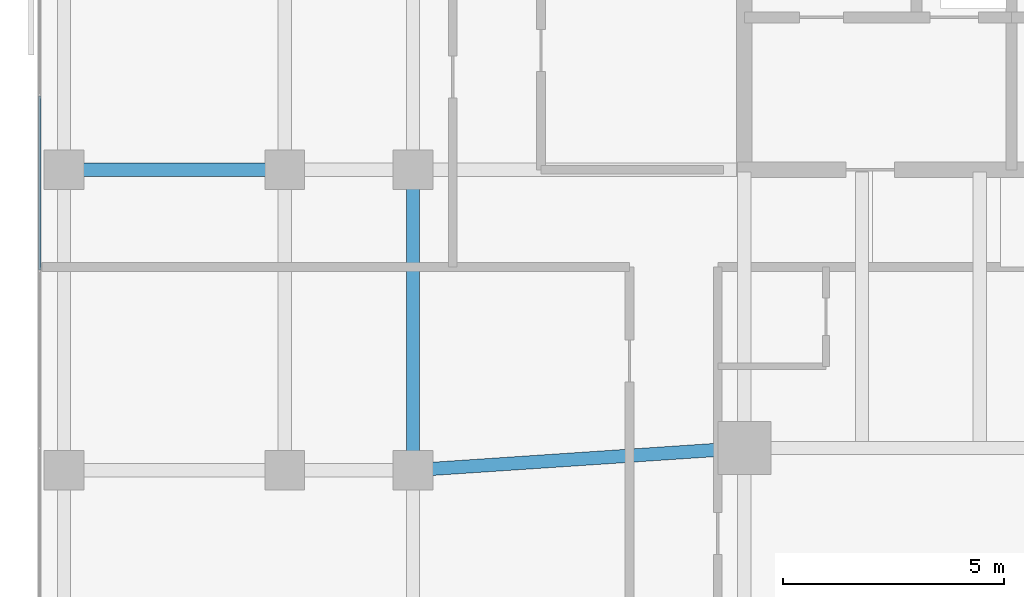
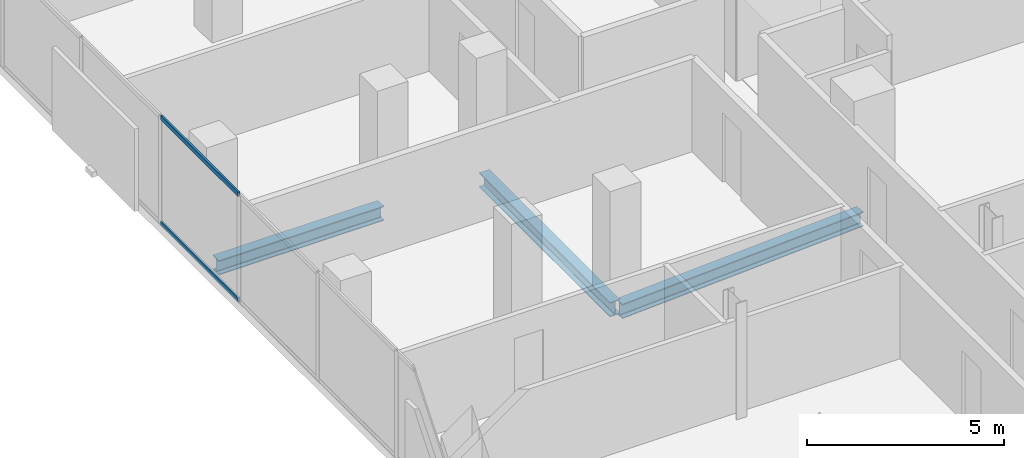
# One storey, part 10 of 33: 3 beams, 2 members, 1 element without a shape of its own.
"""IFC4 building model written with IfcOpenShell, lengths in metres."""

import ifcopenshell
import ifcopenshell.guid

model = None  # the IFC model being written
_history = None  # IfcOwnerHistory: only IFC2X3 demands one
_inside = {}  # id of a spatial element -> (the spatial element, [elements in it])
_under = {}  # id of a project, library or spatial element -> (it, [spatial elements below it])
_declared = {}  # id of a project -> (the project, [libraries it declares])
_typed = {}  # id of a type object -> (the type object, [elements of that type])
_made_of = {}  # id of a material, layer set ... -> (it, [elements and type objects made of it])


def new_model(schema):
    """Start an empty IFC model of exactly this schema.

    Asked for "IFC4X3", IfcOpenShell would pick the latest addendum, in which some entities
    have other attributes; the version numbers below select the first issue.
    IFC2X3 requires an IfcOwnerHistory on every rooted entity: one is made here for all.
    """
    global model, _history
    if schema == "IFC4X3":
        model = ifcopenshell.file(schema_version=(4, 3, 0, 0))
    else:
        model = ifcopenshell.file(schema=schema)
    _inside.clear()
    _under.clear()
    _declared.clear()
    _typed.clear()
    _made_of.clear()
    _history = None
    if model.schema == "IFC2X3":
        org = make("IfcOrganization", Name="unknown")
        user = make(
            "IfcPersonAndOrganization",
            ThePerson=make("IfcPerson", FamilyName="unknown"),
            TheOrganization=org,
        )
        app = make(
            "IfcApplication",
            ApplicationDeveloper=org,
            Version="unknown",
            ApplicationFullName="unknown",
            ApplicationIdentifier="unknown",
        )
        _history = make(
            "IfcOwnerHistory",
            OwningUser=user,
            OwningApplication=app,
            ChangeAction="ADDED",
            CreationDate=0,
        )
    return model


def make(cls, **values):
    """One entity of the class cls with the attributes given. An attribute that is None is left unset."""
    return model.create_entity(
        cls, **{name: value for name, value in values.items() if value is not None}
    )


def rooted(cls, **values):
    """An entity with a GlobalId (a new one), such as an element, a storey or a relation."""
    return make(cls, GlobalId=ifcopenshell.guid.new(), OwnerHistory=_history, **values)


def si_unit(unit_type, name, prefix=None):
    """IfcSIUnit, for example si_unit("LENGTHUNIT", "METRE", prefix="MILLI")."""
    return make("IfcSIUnit", UnitType=unit_type, Prefix=prefix, Name=name)


def assignment(units):
    """IfcUnitAssignment: the units of a project."""
    return None if units is None else make("IfcUnitAssignment", Units=units)


def point(xyz):
    """IfcCartesianPoint."""
    return None if xyz is None else make("IfcCartesianPoint", Coordinates=xyz)


def direction(xyz):
    """IfcDirection."""
    return None if xyz is None else make("IfcDirection", DirectionRatios=xyz)


def frame(location, z_axis=None, x_axis=None):
    """IfcAxis2Placement3D, a coordinate frame: its origin and axes. An axis left out is left unset."""
    return make(
        "IfcAxis2Placement3D",
        Location=point(location),
        Axis=direction(z_axis),
        RefDirection=direction(x_axis),
    )


def frame_2d(location, x_axis=None):
    """IfcAxis2Placement2D, a coordinate frame in the plane: its origin and x axis."""
    return make(
        "IfcAxis2Placement2D", Location=point(location), RefDirection=direction(x_axis)
    )


def origin():
    """The frame at (0, 0, 0) with its axes left unset."""
    return frame((0.0, 0.0, 0.0))


def origin_2d():
    """The frame at (0, 0) in the plane with its x axis left unset."""
    return frame_2d((0.0, 0.0))


def place(relative_to, where):
    """IfcLocalPlacement: puts the frame where relative to a parent placement (None: the world)."""
    return make(
        "IfcLocalPlacement", PlacementRelTo=relative_to, RelativePlacement=where
    )


def context(
    kind, dimensions, precision=None, world=None, true_north=None, identifier=None
):
    """IfcGeometricRepresentationContext, for example the 3D "Model" context."""
    return make(
        "IfcGeometricRepresentationContext",
        ContextIdentifier=identifier,
        ContextType=kind,
        CoordinateSpaceDimension=dimensions,
        Precision=precision,
        WorldCoordinateSystem=world,
        TrueNorth=true_north,
    )


def subcontext(parent, identifier, kind, view, scale=None):
    """IfcGeometricRepresentationSubContext, for example "Body" below "Model"."""
    return make(
        "IfcGeometricRepresentationSubContext",
        ContextIdentifier=identifier,
        ContextType=kind,
        ParentContext=parent,
        TargetScale=scale,
        TargetView=view,
    )


def project(units=None, contexts=None):
    """IfcProject with its units and contexts."""
    return rooted(
        "IfcProject",
        Name="project",
        RepresentationContexts=contexts,
        UnitsInContext=assignment(units),
    )


def spatial(cls, under=None, at=None, **own):
    """A site, building, storey or space (cls), placed at a placement, below another one or the project."""
    s = rooted(cls, ObjectPlacement=at, **own)
    if under is not None:
        _under.setdefault(under.id(), (under, []))[1].append(s)
    return s


def profile(cls, at=None, kind="AREA", **sizes):
    """A parametric profile (cls). Its sizes go by their IFC names, for example OverallWidth=200.0."""
    return make(cls, ProfileType=kind, Position=at, **sizes)


def hollow_rectangle(**sizes):
    """IfcRectangleHollowProfileDef."""
    return profile("IfcRectangleHollowProfileDef", **sizes)


def i_section(**sizes):
    """IfcIShapeProfileDef."""
    return profile("IfcIShapeProfileDef", **sizes)


def extrude(swept, where, along, depth):
    """IfcExtrudedAreaSolid: the profile swept, set in the frame where, extruded along a direction by depth."""
    return make(
        "IfcExtrudedAreaSolid",
        SweptArea=swept,
        Position=where,
        ExtrudedDirection=direction(along),
        Depth=depth,
    )


def shape(context_of_items, identifier, shape_type, items):
    """IfcShapeRepresentation: the items that make up one representation, for example the "Body"."""
    return make(
        "IfcShapeRepresentation",
        ContextOfItems=context_of_items,
        RepresentationIdentifier=identifier,
        RepresentationType=shape_type,
        Items=items,
    )


def material(Name=None, Category=None):
    """IfcMaterial."""
    return make("IfcMaterial", Name=Name, Category=Category)


def layer(
    of_material, thickness, ventilated=None, Name=None, Category=None, Priority=None
):
    """IfcMaterialLayer: one layer of a wall or slab, of a material (None: an air gap)."""
    return make(
        "IfcMaterialLayer",
        Material=of_material,
        LayerThickness=thickness,
        IsVentilated=ventilated,
        Name=Name,
        Category=Category,
        Priority=Priority,
    )


def layer_set(layers, Name=None):
    """IfcMaterialLayerSet."""
    return make("IfcMaterialLayerSet", MaterialLayers=layers, LayerSetName=Name)


def material_profile(
    of_material, cross_section, Name=None, Category=None, Priority=None
):
    """IfcMaterialProfile: a cross section and its material."""
    return make(
        "IfcMaterialProfile",
        Name=Name,
        Material=of_material,
        Profile=cross_section,
        Priority=Priority,
        Category=Category,
    )


def profile_set(profiles, Name=None, composite=None):
    """IfcMaterialProfileSet."""
    return make(
        "IfcMaterialProfileSet",
        Name=Name,
        MaterialProfiles=profiles,
        CompositeProfile=composite,
    )


def made_of(thing, what):
    """Note that an element or type object is made of a material, layer set ...; save() writes the relation."""
    if what is not None:
        _made_of.setdefault(what.id(), (what, []))[1].append(thing)
    return thing


def type_object(cls, material=None, **own):
    """A type object (cls), such as IfcWallType, which elements share."""
    return made_of(rooted(cls, **own), material)


def element(
    cls,
    number,
    at=None,
    inside=None,
    cuts=None,
    type_object=None,
    material=None,
    context=None,
    identifier="Body",
    shape_type=None,
    held_by="IfcProductDefinitionShape",
    body=None,
    shapes=None,
    **own,
):
    """One element of the class cls, such as IfcWall. Its Tag is "e" and its number.

    at: its placement. inside: the storey or other place that contains it. cuts: it is an
    opening in that element (IfcRelVoidsElement). A single representation is given by context,
    identifier, shape_type and body (its items); several are given by shapes. held_by: the class
    of the entity that holds the representations. save() writes the other relations.
    """
    e = rooted(cls, Tag="e%d" % number, ObjectPlacement=at, **own)
    if body is not None:
        shapes = [shape(context, identifier, shape_type, body)]
    if shapes is not None:
        e.Representation = make(held_by, Representations=shapes)
    if inside is not None:
        _inside.setdefault(inside.id(), (inside, []))[1].append(e)
    if cuts is not None:
        rooted(
            "IfcRelVoidsElement", RelatingBuildingElement=cuts, RelatedOpeningElement=e
        )
    if type_object is not None:
        _typed.setdefault(type_object.id(), (type_object, []))[1].append(e)
    return made_of(e, material)


def aggregate(whole, parts):
    """IfcRelAggregates: a whole, such as a stair, and the parts it consists of."""
    return rooted("IfcRelAggregates", RelatingObject=whole, RelatedObjects=parts)


def save(model, path):
    """Write the relations noted so far, then the file.

    IfcRelAggregates (storeys below a building ...), IfcRelContainedInSpatialStructure (elements
    in a storey), IfcRelDefinesByType, IfcRelAssociatesMaterial and IfcRelDeclares: one each for
    every whole, place, type object, material and project.
    """
    for whole, parts in _under.values():
        aggregate(whole, parts)
    for where, things in _inside.values():
        rooted(
            "IfcRelContainedInSpatialStructure",
            RelatedElements=things,
            RelatingStructure=where,
        )
    for kind, things in _typed.values():
        rooted("IfcRelDefinesByType", RelatedObjects=things, RelatingType=kind)
    for what, things in _made_of.values():
        rooted("IfcRelAssociatesMaterial", RelatedObjects=things, RelatingMaterial=what)
    for by, libraries in _declared.values():
        rooted("IfcRelDeclares", RelatingContext=by, RelatedDefinitions=libraries)
    model.write(path)


model = new_model("IFC4")

# Units and contexts
model_context = context("Model", 3, precision=1e-05, world=origin(), true_north=direction((0.0, 1.0)))
body_context = subcontext(model_context, "Body", "Model", "MODEL_VIEW")
ifc_project = project(units=[si_unit("LENGTHUNIT", "METRE"), si_unit("AREAUNIT", "SQUARE_METRE"), si_unit("VOLUMEUNIT", "CUBIC_METRE"), si_unit("PLANEANGLEUNIT", "RADIAN"), si_unit("MASSUNIT", "GRAM", prefix="KILO")], contexts=[model_context])

# Site, building, storey
site_placement = place(None, origin())
site = spatial("IfcSite", under=ifc_project, at=site_placement, CompositionType="ELEMENT")
building_placement = place(site_placement, origin())
building = spatial("IfcBuilding", under=site, at=building_placement, Name="Catumbela Crestline Tower", CompositionType="ELEMENT")
storey_placement = place(building_placement, frame((0.0, 0.0, 104.4)))
storey = spatial("IfcBuildingStorey", under=building, at=storey_placement, Name="L26", CompositionType="ELEMENT", Elevation=104.4)

# Beams
ifc_material_1 = material(Name="Structural steel S355J2", Category="steel")
ifc_material_profile_1 = material_profile(ifc_material_1, i_section(OverallWidth=0.3, OverallDepth=0.45, WebThickness=0.014, FlangeThickness=0.026, FilletRadius=0.027, at=origin_2d()), Name="HEB 450")
ifc_profile_set_1 = profile_set([ifc_material_profile_1], Name="Structural steel S355J2")
beam_type = type_object("IfcBeamType", Name="BG-HEB450", PredefinedType="BEAM", material=ifc_profile_set_1)
beam_1_placement = place(storey_placement, frame((8.5798, 24.0053, -0.485), z_axis=(0.997784796964, 0.066524423687, 0.0), x_axis=(-0.066524423687, 0.997784796964, 0.0)))
element("IfcBeam", 1, at=beam_1_placement, inside=storey, type_object=beam_type, Name="L26 Beam BM-L26-S03", PredefinedType="BEAM", context=body_context, shape_type="SweptSolid", body=[
    extrude(i_section(OverallWidth=0.3, OverallDepth=0.45, WebThickness=0.014, FlangeThickness=0.026, FilletRadius=0.027, at=origin_2d()), origin(), (0.0, 0.0, 1.0), 7.3567),
])
beam_2_placement = place(storey_placement, frame((0.68, 30.8, -0.485), z_axis=(1.0, 0.0, 0.0), x_axis=(0.0, 1.0, 0.0)))
element("IfcBeam", 2, at=beam_2_placement, inside=storey, type_object=beam_type, Name="L26 Beam BM-L26-M07", PredefinedType="BEAM", context=body_context, shape_type="SweptSolid", body=[
    extrude(i_section(OverallWidth=0.3, OverallDepth=0.45, WebThickness=0.014, FlangeThickness=0.026, FilletRadius=0.027, at=origin_2d()), origin(), (0.0, 0.0, 1.0), 4.84),
])
beam_3_placement = place(storey_placement, frame((8.5, 24.08, -0.485), z_axis=(0.0, 1.0, 0.0), x_axis=(-1.0, 0.0, 0.0)))
element("IfcBeam", 3, at=beam_3_placement, inside=storey, type_object=beam_type, Name="L26 Beam BM-L26-SN26", PredefinedType="BEAM", context=body_context, shape_type="SweptSolid", body=[
    extrude(i_section(OverallWidth=0.3, OverallDepth=0.45, WebThickness=0.014, FlangeThickness=0.026, FilletRadius=0.027, at=origin_2d()), origin(), (0.0, 0.0, 1.0), 6.64),
])

# Curtain wall, members
ifc_material_2 = material(Name="Aluminium alloy AW-6060-T66", Category="aluminium")
ifc_layer = layer(ifc_material_2, 0.18, Name="Aluminium alloy AW-6060-T66")
ifc_layer_set = layer_set([ifc_layer], Name="Aluminium alloy AW-6060-T66")
curtain_wall_type = type_object("IfcCurtainWallType", Name="CWU-Z2", PredefinedType="USERDEFINED", material=ifc_layer_set)
curtain_wall_placement = place(storey_placement, origin())
curtain_wall = element("IfcCurtainWall", 4, at=curtain_wall_placement, inside=storey, type_object=curtain_wall_type, Name="L26 Unitised Curtain Wall CW-L26-E9S1", ObjectType="UNITISED", PredefinedType="USERDEFINED")
ifc_material_profile_2 = material_profile(ifc_material_2, hollow_rectangle(XDim=0.06, YDim=0.14, WallThickness=0.004, at=origin_2d()), Name="ALU 140x60x4")
ifc_profile_set_2 = profile_set([ifc_material_profile_2], Name="Aluminium alloy AW-6060-T66")
member_type = type_object("IfcMemberType", Name="TRN-140X60", PredefinedType="USERDEFINED", material=ifc_profile_set_2)
member_1_placement = place(storey_placement, frame((0.05, 32.4675, 0.03), z_axis=(0.0, -1.0, 0.0), x_axis=(1.0, 0.0, 0.0)))
member_1 = element("IfcMember", 5, at=member_1_placement, type_object=member_type, Name="CWU-Z2 transom 4.1", ObjectType="TRANSOM", PredefinedType="USERDEFINED", context=body_context, shape_type="SweptSolid", body=[
    extrude(hollow_rectangle(XDim=0.06, YDim=0.14, WallThickness=0.004, at=origin_2d()), origin(), (0.0, 0.0, 1.0), 3.935),
])
member_2_placement = place(storey_placement, frame((0.05, 32.4675, 3.3), z_axis=(0.0, -1.0, 0.0), x_axis=(1.0, 0.0, 0.0)))
member_2 = element("IfcMember", 6, at=member_2_placement, type_object=member_type, Name="CWU-Z2 transom 4.2", ObjectType="TRANSOM", PredefinedType="USERDEFINED", context=body_context, shape_type="SweptSolid", body=[
    extrude(hollow_rectangle(XDim=0.06, YDim=0.14, WallThickness=0.004, at=origin_2d()), origin(), (0.0, 0.0, 1.0), 3.935),
])
aggregate(curtain_wall, [member_1, member_2])

save(model, "model.ifc")
